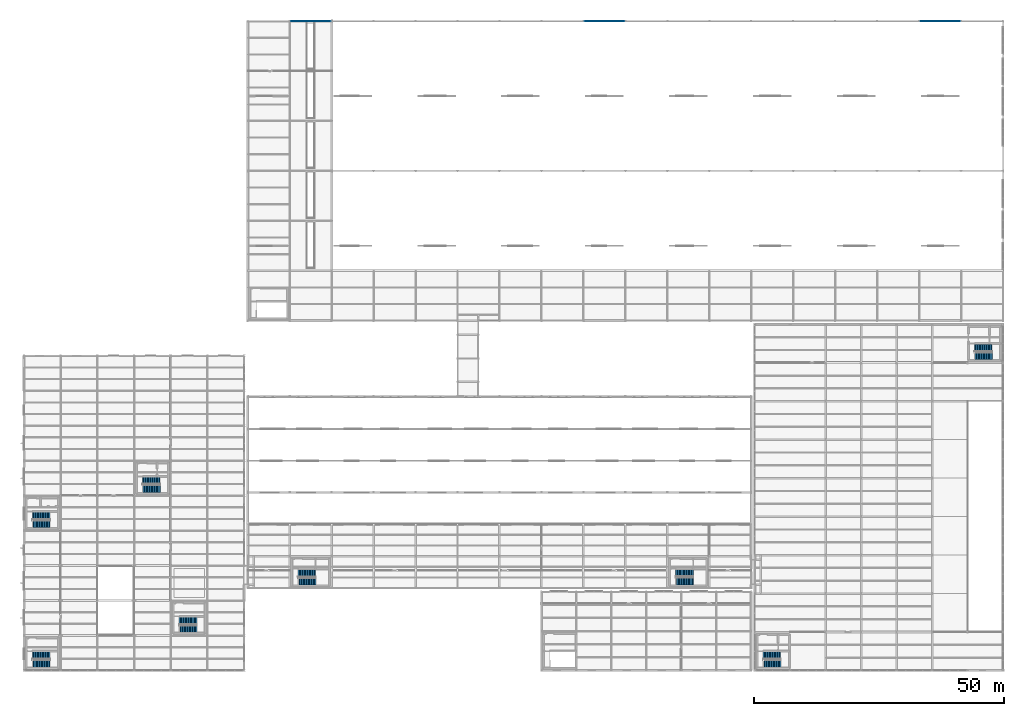
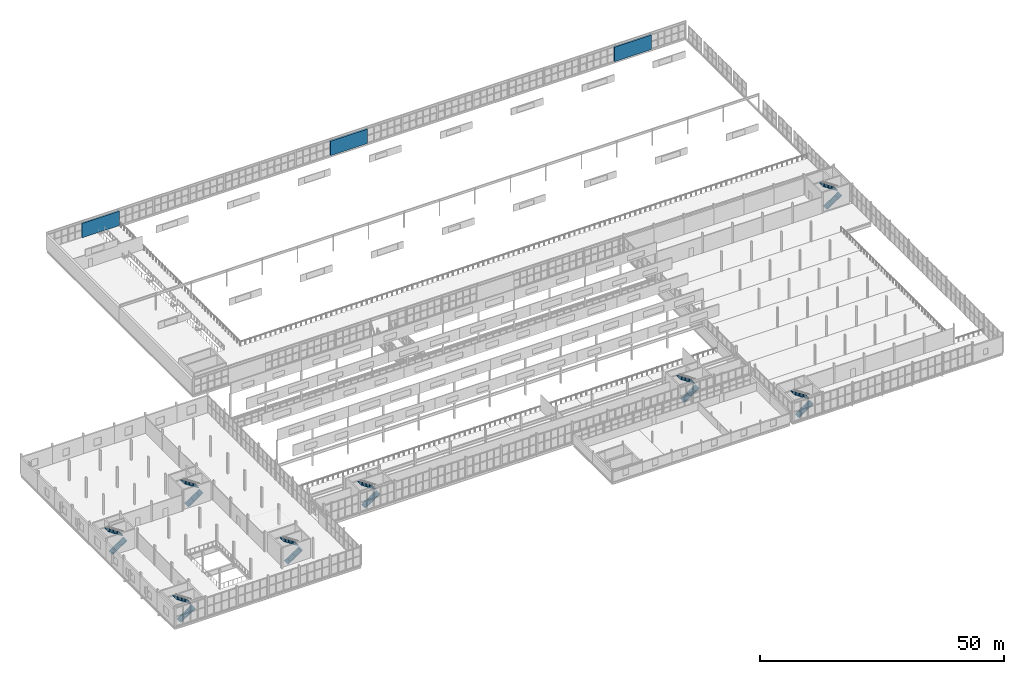
# One storey, part 209 of 218: 16 stair flights, 3 walls, 8 elements without a shape of their own.
"""IFC4 building model written with IfcOpenShell, lengths in metres."""

from ifc_helpers import new_model, si_unit, direction, frame, frame_2d, origin, place, context, subcontext, project, spatial, polyline, rectangle, outline, extrude, material, layer, layer_set, type_object, element, aggregate, save


model = new_model("IFC4")

# Units and contexts
model_context = context("Model", 3, precision=1e-05, world=origin(), true_north=direction((0.0, 1.0)))
body_context = subcontext(model_context, "Body", "Model", "MODEL_VIEW")
ifc_project = project(units=[si_unit("LENGTHUNIT", "METRE"), si_unit("AREAUNIT", "SQUARE_METRE"), si_unit("VOLUMEUNIT", "CUBIC_METRE"), si_unit("PLANEANGLEUNIT", "RADIAN"), si_unit("MASSUNIT", "GRAM", prefix="KILO")], contexts=[model_context])

# Site, building, storey
site_placement = place(None, origin())
site = spatial("IfcSite", under=ifc_project, at=site_placement, CompositionType="ELEMENT")
building_placement = place(site_placement, origin())
building = spatial("IfcBuilding", under=site, at=building_placement, Name="Kazenagashi Tramway Depot", CompositionType="ELEMENT")
storey_placement = place(building_placement, frame((0.0, 0.0, 6.0)))
storey = spatial("IfcBuildingStorey", under=building, at=storey_placement, Name="L02", CompositionType="ELEMENT", Elevation=6.0)

# Walls
ifc_material_1 = material(Name="Clay Brick Masonry JIS R 1250 Class 1 (20 MPa)", Category="masonry")
ifc_layer_1 = layer(ifc_material_1, 0.43)
ifc_layer_set_1 = layer_set([ifc_layer_1], Name="Clay Brick Masonry JIS R 1250 Class 1 (20 MPa)")
wall_type = type_object("IfcWallType", Name="W-BK1", PredefinedType="SOLIDWALL", material=ifc_layer_set_1)
wall_placement = place(storey_placement, frame((53.0, 130.0, 0.0), z_axis=(0.0, 0.0, 1.0), x_axis=(1.0, 0.0, 0.0)))
element("IfcWall", 1, at=wall_placement, inside=storey, type_object=wall_type, Name="Exterior Brick Wall W-BK1 EWALL-0031", PredefinedType="SOLIDWALL", context=body_context, shape_type="SweptSolid", body=[
    extrude(rectangle(XDim=8.8, YDim=0.43, at=frame_2d((4.4, 0.0))), origin(), (0.0, 0.0, 1.0), 3.6),
])
for number, where, z_axis, x_axis, name in (
    (2, (111.8, 130.0, -0.02), (0.0, 0.0, 1.0), (1.0, 0.0, 0.0), "Exterior Brick Wall W-BK1 EWALL-0039"),
    (3, (179.0, 130.0, -0.02), (0.0, 0.0, 1.0), (1.0, 0.0, 0.0), "Exterior Brick Wall W-BK1 EWALL-0048"),
):
    element("IfcWall", number, at=place(storey_placement, frame(where, z_axis=z_axis, x_axis=x_axis)), inside=storey, type_object=wall_type, Name=name, PredefinedType="SOLIDWALL", context=body_context, shape_type="SweptSolid", body=[
        extrude(rectangle(XDim=8.8, YDim=0.43, at=frame_2d((4.4, 0.0))), origin(), (0.0, 0.0, 1.0), 3.62),
    ])

# Stair, stair flights
ifc_material_2 = material(Name="Concrete Fc36", Category="concrete")
stair_type_1 = type_object("IfcStairType", Name="ST-T3", PredefinedType="USERDEFINED", material=ifc_material_2)
stair_1_placement = place(storey_placement, origin())
stair_1 = element("IfcStair", 4, at=stair_1_placement, inside=storey, type_object=stair_type_1, Name="Enclosed Escape Stair ST-02", ObjectType="TWO_RETURN_STAIR", PredefinedType="USERDEFINED")
ifc_layer_2 = layer(ifc_material_2, 0.18)
ifc_layer_set_2 = layer_set([ifc_layer_2], Name="Concrete Fc36")
stair_flight_type_1 = type_object("IfcStairFlightType", Name="SF-F01", PredefinedType="STRAIGHT", material=ifc_layer_set_2)
stair_flight_1_placement = place(storey_placement, frame((1.72, 29.345, 0.0), z_axis=(0.0, 0.0, 1.0), x_axis=(1.0, 0.0, 0.0)))
stair_flight_1 = element("IfcStairFlight", 5, at=stair_flight_1_placement, type_object=stair_flight_type_1, Name="ST-02 flight 1", NumberOfRisers=15, NumberOfTreads=14, PredefinedType="STRAIGHT", RiserHeight=0.17, TreadLength=0.252, context=body_context, shape_type="SweptSolid", body=[
    extrude(outline(polyline([(0.0, 0.0), (0.0, 0.17), (0.252, 0.17), (0.252, 0.34), (0.504, 0.34), (0.504, 0.51), (0.756, 0.51), (0.756, 0.68), (1.008, 0.68), (1.008, 0.85), (1.26, 0.85), (1.26, 1.02), (1.512, 1.02), (1.512, 1.19), (1.764, 1.19), (1.764, 1.36), (2.016, 1.36), (2.016, 1.53), (2.268, 1.53), (2.268, 1.7), (2.52, 1.7), (2.52, 1.87), (2.772, 1.87), (2.772, 2.04), (3.024, 2.04), (3.024, 2.21), (3.276, 2.21), (3.276, 2.38), (3.528, 2.38), (3.528, 2.55), (3.528, 2.199059), (0.268218, 0.0), (0.0, 0.0)])), frame((0.0, 0.725, 0.0), z_axis=(0.0, -1.0, 0.0), x_axis=(1.0, 0.0, 0.0)), (0.0, 0.0, 1.0), 1.45),
])
stair_flight_2_placement = place(storey_placement, frame((5.208, 30.955, 2.55), z_axis=(0.0, 0.0, 1.0), x_axis=(-1.0, 0.0, 0.0)))
stair_flight_2 = element("IfcStairFlight", 6, at=stair_flight_2_placement, type_object=stair_flight_type_1, Name="ST-02 flight 2", NumberOfRisers=15, NumberOfTreads=14, PredefinedType="STRAIGHT", RiserHeight=0.17, TreadLength=0.252, context=body_context, shape_type="SweptSolid", body=[
    extrude(outline(polyline([(0.0, 0.0), (0.0, 0.17), (0.252, 0.17), (0.252, 0.34), (0.504, 0.34), (0.504, 0.51), (0.756, 0.51), (0.756, 0.68), (1.008, 0.68), (1.008, 0.85), (1.26, 0.85), (1.26, 1.02), (1.512, 1.02), (1.512, 1.19), (1.764, 1.19), (1.764, 1.36), (2.016, 1.36), (2.016, 1.53), (2.268, 1.53), (2.268, 1.7), (2.52, 1.7), (2.52, 1.87), (2.772, 1.87), (2.772, 2.04), (3.024, 2.04), (3.024, 2.21), (3.276, 2.21), (3.276, 2.38), (3.528, 2.38), (3.528, 2.55), (3.528, 2.199059), (0.268218, 0.0), (0.0, 0.0)])), frame((0.0, 0.725, 0.0), z_axis=(0.0, -1.0, 0.0), x_axis=(1.0, 0.0, 0.0)), (0.0, 0.0, 1.0), 1.45),
])
aggregate(stair_1, [stair_flight_1, stair_flight_2])

stair_2_placement = place(storey_placement, origin())
stair_2 = element("IfcStair", 7, at=stair_2_placement, inside=storey, type_object=stair_type_1, Name="Enclosed Escape Stair ST-10", ObjectType="TWO_RETURN_STAIR", PredefinedType="USERDEFINED")
stair_flight_3_placement = place(storey_placement, frame((31.12, 8.345, 0.0), z_axis=(0.0, 0.0, 1.0), x_axis=(1.0, 0.0, 0.0)))
stair_flight_3 = element("IfcStairFlight", 8, at=stair_flight_3_placement, type_object=stair_flight_type_1, Name="ST-10 flight 1", NumberOfRisers=15, NumberOfTreads=14, PredefinedType="STRAIGHT", RiserHeight=0.17, TreadLength=0.252, context=body_context, shape_type="SweptSolid", body=[
    extrude(outline(polyline([(0.0, 0.0), (0.0, 0.17), (0.252, 0.17), (0.252, 0.34), (0.504, 0.34), (0.504, 0.51), (0.756, 0.51), (0.756, 0.68), (1.008, 0.68), (1.008, 0.85), (1.26, 0.85), (1.26, 1.02), (1.512, 1.02), (1.512, 1.19), (1.764, 1.19), (1.764, 1.36), (2.016, 1.36), (2.016, 1.53), (2.268, 1.53), (2.268, 1.7), (2.52, 1.7), (2.52, 1.87), (2.772, 1.87), (2.772, 2.04), (3.024, 2.04), (3.024, 2.21), (3.276, 2.21), (3.276, 2.38), (3.528, 2.38), (3.528, 2.55), (3.528, 2.199059), (0.268218, 0.0), (0.0, 0.0)])), frame((0.0, 0.725, 0.0), z_axis=(0.0, -1.0, 0.0), x_axis=(1.0, 0.0, 0.0)), (0.0, 0.0, 1.0), 1.45),
])
stair_flight_4_placement = place(storey_placement, frame((34.608, 9.955, 2.55), z_axis=(0.0, 0.0, 1.0), x_axis=(-1.0, 0.0, 0.0)))
stair_flight_4 = element("IfcStairFlight", 9, at=stair_flight_4_placement, type_object=stair_flight_type_1, Name="ST-10 flight 2", NumberOfRisers=15, NumberOfTreads=14, PredefinedType="STRAIGHT", RiserHeight=0.17, TreadLength=0.252, context=body_context, shape_type="SweptSolid", body=[
    extrude(outline(polyline([(0.0, 0.0), (0.0, 0.17), (0.252, 0.17), (0.252, 0.34), (0.504, 0.34), (0.504, 0.51), (0.756, 0.51), (0.756, 0.68), (1.008, 0.68), (1.008, 0.85), (1.26, 0.85), (1.26, 1.02), (1.512, 1.02), (1.512, 1.19), (1.764, 1.19), (1.764, 1.36), (2.016, 1.36), (2.016, 1.53), (2.268, 1.53), (2.268, 1.7), (2.52, 1.7), (2.52, 1.87), (2.772, 1.87), (2.772, 2.04), (3.024, 2.04), (3.024, 2.21), (3.276, 2.21), (3.276, 2.38), (3.528, 2.38), (3.528, 2.55), (3.528, 2.199059), (0.268218, 0.0), (0.0, 0.0)])), frame((0.0, 0.725, 0.0), z_axis=(0.0, -1.0, 0.0), x_axis=(1.0, 0.0, 0.0)), (0.0, 0.0, 1.0), 1.45),
])
aggregate(stair_2, [stair_flight_3, stair_flight_4])

stair_3_placement = place(storey_placement, origin())
stair_3 = element("IfcStair", 10, at=stair_3_placement, inside=storey, type_object=stair_type_1, Name="Enclosed Escape Stair ST-18", ObjectType="TWO_RETURN_STAIR", PredefinedType="USERDEFINED")
stair_flight_5_placement = place(storey_placement, frame((54.92, 17.845, 0.0), z_axis=(0.0, 0.0, 1.0), x_axis=(1.0, 0.0, 0.0)))
stair_flight_5 = element("IfcStairFlight", 11, at=stair_flight_5_placement, type_object=stair_flight_type_1, Name="ST-18 flight 1", NumberOfRisers=15, NumberOfTreads=14, PredefinedType="STRAIGHT", RiserHeight=0.17, TreadLength=0.252, context=body_context, shape_type="SweptSolid", body=[
    extrude(outline(polyline([(0.0, 0.0), (0.0, 0.17), (0.252, 0.17), (0.252, 0.34), (0.504, 0.34), (0.504, 0.51), (0.756, 0.51), (0.756, 0.68), (1.008, 0.68), (1.008, 0.85), (1.26, 0.85), (1.26, 1.02), (1.512, 1.02), (1.512, 1.19), (1.764, 1.19), (1.764, 1.36), (2.016, 1.36), (2.016, 1.53), (2.268, 1.53), (2.268, 1.7), (2.52, 1.7), (2.52, 1.87), (2.772, 1.87), (2.772, 2.04), (3.024, 2.04), (3.024, 2.21), (3.276, 2.21), (3.276, 2.38), (3.528, 2.38), (3.528, 2.55), (3.528, 2.199059), (0.268218, 0.0), (0.0, 0.0)])), frame((0.0, 0.725, 0.0), z_axis=(0.0, -1.0, 0.0), x_axis=(1.0, 0.0, 0.0)), (0.0, 0.0, 1.0), 1.45),
])
stair_flight_6_placement = place(storey_placement, frame((58.408, 19.455, 2.55), z_axis=(0.0, 0.0, 1.0), x_axis=(-1.0, 0.0, 0.0)))
stair_flight_6 = element("IfcStairFlight", 12, at=stair_flight_6_placement, type_object=stair_flight_type_1, Name="ST-18 flight 2", NumberOfRisers=15, NumberOfTreads=14, PredefinedType="STRAIGHT", RiserHeight=0.17, TreadLength=0.252, context=body_context, shape_type="SweptSolid", body=[
    extrude(outline(polyline([(0.0, 0.0), (0.0, 0.17), (0.252, 0.17), (0.252, 0.34), (0.504, 0.34), (0.504, 0.51), (0.756, 0.51), (0.756, 0.68), (1.008, 0.68), (1.008, 0.85), (1.26, 0.85), (1.26, 1.02), (1.512, 1.02), (1.512, 1.19), (1.764, 1.19), (1.764, 1.36), (2.016, 1.36), (2.016, 1.53), (2.268, 1.53), (2.268, 1.7), (2.52, 1.7), (2.52, 1.87), (2.772, 1.87), (2.772, 2.04), (3.024, 2.04), (3.024, 2.21), (3.276, 2.21), (3.276, 2.38), (3.528, 2.38), (3.528, 2.55), (3.528, 2.199059), (0.268218, 0.0), (0.0, 0.0)])), frame((0.0, 0.725, 0.0), z_axis=(0.0, -1.0, 0.0), x_axis=(1.0, 0.0, 0.0)), (0.0, 0.0, 1.0), 1.45),
])
aggregate(stair_3, [stair_flight_5, stair_flight_6])

stair_4_placement = place(storey_placement, origin())
stair_4 = element("IfcStair", 13, at=stair_4_placement, inside=storey, type_object=stair_type_1, Name="Enclosed Escape Stair ST-26", ObjectType="TWO_RETURN_STAIR", PredefinedType="USERDEFINED")
stair_flight_7_placement = place(storey_placement, frame((190.32, 62.945, 0.0), z_axis=(0.0, 0.0, 1.0), x_axis=(1.0, 0.0, 0.0)))
stair_flight_7 = element("IfcStairFlight", 14, at=stair_flight_7_placement, type_object=stair_flight_type_1, Name="ST-26 flight 1", NumberOfRisers=15, NumberOfTreads=14, PredefinedType="STRAIGHT", RiserHeight=0.17, TreadLength=0.252, context=body_context, shape_type="SweptSolid", body=[
    extrude(outline(polyline([(0.0, 0.0), (0.0, 0.17), (0.252, 0.17), (0.252, 0.34), (0.504, 0.34), (0.504, 0.51), (0.756, 0.51), (0.756, 0.68), (1.008, 0.68), (1.008, 0.85), (1.26, 0.85), (1.26, 1.02), (1.512, 1.02), (1.512, 1.19), (1.764, 1.19), (1.764, 1.36), (2.016, 1.36), (2.016, 1.53), (2.268, 1.53), (2.268, 1.7), (2.52, 1.7), (2.52, 1.87), (2.772, 1.87), (2.772, 2.04), (3.024, 2.04), (3.024, 2.21), (3.276, 2.21), (3.276, 2.38), (3.528, 2.38), (3.528, 2.55), (3.528, 2.199059), (0.268218, 0.0), (0.0, 0.0)])), frame((0.0, 0.725, 0.0), z_axis=(0.0, -1.0, 0.0), x_axis=(1.0, 0.0, 0.0)), (0.0, 0.0, 1.0), 1.45),
])
stair_flight_8_placement = place(storey_placement, frame((193.808, 64.555, 2.55), z_axis=(0.0, 0.0, 1.0), x_axis=(-1.0, 0.0, 0.0)))
stair_flight_8 = element("IfcStairFlight", 15, at=stair_flight_8_placement, type_object=stair_flight_type_1, Name="ST-26 flight 2", NumberOfRisers=15, NumberOfTreads=14, PredefinedType="STRAIGHT", RiserHeight=0.17, TreadLength=0.252, context=body_context, shape_type="SweptSolid", body=[
    extrude(outline(polyline([(0.0, 0.0), (0.0, 0.17), (0.252, 0.17), (0.252, 0.34), (0.504, 0.34), (0.504, 0.51), (0.756, 0.51), (0.756, 0.68), (1.008, 0.68), (1.008, 0.85), (1.26, 0.85), (1.26, 1.02), (1.512, 1.02), (1.512, 1.19), (1.764, 1.19), (1.764, 1.36), (2.016, 1.36), (2.016, 1.53), (2.268, 1.53), (2.268, 1.7), (2.52, 1.7), (2.52, 1.87), (2.772, 1.87), (2.772, 2.04), (3.024, 2.04), (3.024, 2.21), (3.276, 2.21), (3.276, 2.38), (3.528, 2.38), (3.528, 2.55), (3.528, 2.199059), (0.268218, 0.0), (0.0, 0.0)])), frame((0.0, 0.725, 0.0), z_axis=(0.0, -1.0, 0.0), x_axis=(1.0, 0.0, 0.0)), (0.0, 0.0, 1.0), 1.45),
])
aggregate(stair_4, [stair_flight_7, stair_flight_8])

stair_type_2 = type_object("IfcStairType", Name="ST-T6", PredefinedType="USERDEFINED", material=ifc_material_2)
stair_5_placement = place(storey_placement, origin())
stair_5 = element("IfcStair", 16, at=stair_5_placement, inside=storey, type_object=stair_type_2, Name="Enclosed Escape Stair ST-06", ObjectType="TWO_RETURN_STAIR", PredefinedType="USERDEFINED")
ifc_layer_3 = layer(ifc_material_2, 0.18)
ifc_layer_set_3 = layer_set([ifc_layer_3], Name="Concrete Fc36")
stair_flight_type_2 = type_object("IfcStairFlightType", Name="SF-F02", PredefinedType="STRAIGHT", material=ifc_layer_set_3)
stair_flight_9_placement = place(storey_placement, frame((23.77, 36.37, 0.0), z_axis=(0.0, 0.0, 1.0), x_axis=(1.0, 0.0, 0.0)))
stair_flight_9 = element("IfcStairFlight", 17, at=stair_flight_9_placement, type_object=stair_flight_type_2, Name="ST-06 flight 1", NumberOfRisers=15, NumberOfTreads=14, PredefinedType="STRAIGHT", RiserHeight=0.17, TreadLength=0.252, context=body_context, shape_type="SweptSolid", body=[
    extrude(outline(polyline([(0.0, 0.0), (0.0, 0.17), (0.252, 0.17), (0.252, 0.34), (0.504, 0.34), (0.504, 0.51), (0.756, 0.51), (0.756, 0.68), (1.008, 0.68), (1.008, 0.85), (1.26, 0.85), (1.26, 1.02), (1.512, 1.02), (1.512, 1.19), (1.764, 1.19), (1.764, 1.36), (2.016, 1.36), (2.016, 1.53), (2.268, 1.53), (2.268, 1.7), (2.52, 1.7), (2.52, 1.87), (2.772, 1.87), (2.772, 2.04), (3.024, 2.04), (3.024, 2.21), (3.276, 2.21), (3.276, 2.38), (3.528, 2.38), (3.528, 2.55), (3.528, 2.199059), (0.268218, 0.0), (0.0, 0.0)])), frame((0.0, 0.75, 0.0), z_axis=(0.0, -1.0, 0.0), x_axis=(1.0, 0.0, 0.0)), (0.0, 0.0, 1.0), 1.5),
])
stair_flight_10_placement = place(storey_placement, frame((27.258, 38.03, 2.55), z_axis=(0.0, 0.0, 1.0), x_axis=(-1.0, 0.0, 0.0)))
stair_flight_10 = element("IfcStairFlight", 18, at=stair_flight_10_placement, type_object=stair_flight_type_2, Name="ST-06 flight 2", NumberOfRisers=15, NumberOfTreads=14, PredefinedType="STRAIGHT", RiserHeight=0.17, TreadLength=0.252, context=body_context, shape_type="SweptSolid", body=[
    extrude(outline(polyline([(0.0, 0.0), (0.0, 0.17), (0.252, 0.17), (0.252, 0.34), (0.504, 0.34), (0.504, 0.51), (0.756, 0.51), (0.756, 0.68), (1.008, 0.68), (1.008, 0.85), (1.26, 0.85), (1.26, 1.02), (1.512, 1.02), (1.512, 1.19), (1.764, 1.19), (1.764, 1.36), (2.016, 1.36), (2.016, 1.53), (2.268, 1.53), (2.268, 1.7), (2.52, 1.7), (2.52, 1.87), (2.772, 1.87), (2.772, 2.04), (3.024, 2.04), (3.024, 2.21), (3.276, 2.21), (3.276, 2.38), (3.528, 2.38), (3.528, 2.55), (3.528, 2.199059), (0.268218, 0.0), (0.0, 0.0)])), frame((0.0, 0.75, 0.0), z_axis=(0.0, -1.0, 0.0), x_axis=(1.0, 0.0, 0.0)), (0.0, 0.0, 1.0), 1.5),
])
aggregate(stair_5, [stair_flight_9, stair_flight_10])

stair_6_placement = place(storey_placement, origin())
stair_6 = element("IfcStair", 19, at=stair_6_placement, inside=storey, type_object=stair_type_2, Name="Enclosed Escape Stair ST-13", ObjectType="TWO_RETURN_STAIR", PredefinedType="USERDEFINED")
stair_flight_11_placement = place(storey_placement, frame((1.72, 1.37, 0.0), z_axis=(0.0, 0.0, 1.0), x_axis=(1.0, 0.0, 0.0)))
stair_flight_11 = element("IfcStairFlight", 20, at=stair_flight_11_placement, type_object=stair_flight_type_2, Name="ST-13 flight 1", NumberOfRisers=15, NumberOfTreads=14, PredefinedType="STRAIGHT", RiserHeight=0.17, TreadLength=0.252, context=body_context, shape_type="SweptSolid", body=[
    extrude(outline(polyline([(0.0, 0.0), (0.0, 0.17), (0.252, 0.17), (0.252, 0.34), (0.504, 0.34), (0.504, 0.51), (0.756, 0.51), (0.756, 0.68), (1.008, 0.68), (1.008, 0.85), (1.26, 0.85), (1.26, 1.02), (1.512, 1.02), (1.512, 1.19), (1.764, 1.19), (1.764, 1.36), (2.016, 1.36), (2.016, 1.53), (2.268, 1.53), (2.268, 1.7), (2.52, 1.7), (2.52, 1.87), (2.772, 1.87), (2.772, 2.04), (3.024, 2.04), (3.024, 2.21), (3.276, 2.21), (3.276, 2.38), (3.528, 2.38), (3.528, 2.55), (3.528, 2.199059), (0.268218, 0.0), (0.0, 0.0)])), frame((0.0, 0.75, 0.0), z_axis=(0.0, -1.0, 0.0), x_axis=(1.0, 0.0, 0.0)), (0.0, 0.0, 1.0), 1.5),
])
stair_flight_12_placement = place(storey_placement, frame((5.208, 3.03, 2.55), z_axis=(0.0, 0.0, 1.0), x_axis=(-1.0, 0.0, 0.0)))
stair_flight_12 = element("IfcStairFlight", 21, at=stair_flight_12_placement, type_object=stair_flight_type_2, Name="ST-13 flight 2", NumberOfRisers=15, NumberOfTreads=14, PredefinedType="STRAIGHT", RiserHeight=0.17, TreadLength=0.252, context=body_context, shape_type="SweptSolid", body=[
    extrude(outline(polyline([(0.0, 0.0), (0.0, 0.17), (0.252, 0.17), (0.252, 0.34), (0.504, 0.34), (0.504, 0.51), (0.756, 0.51), (0.756, 0.68), (1.008, 0.68), (1.008, 0.85), (1.26, 0.85), (1.26, 1.02), (1.512, 1.02), (1.512, 1.19), (1.764, 1.19), (1.764, 1.36), (2.016, 1.36), (2.016, 1.53), (2.268, 1.53), (2.268, 1.7), (2.52, 1.7), (2.52, 1.87), (2.772, 1.87), (2.772, 2.04), (3.024, 2.04), (3.024, 2.21), (3.276, 2.21), (3.276, 2.38), (3.528, 2.38), (3.528, 2.55), (3.528, 2.199059), (0.268218, 0.0), (0.0, 0.0)])), frame((0.0, 0.75, 0.0), z_axis=(0.0, -1.0, 0.0), x_axis=(1.0, 0.0, 0.0)), (0.0, 0.0, 1.0), 1.5),
])
aggregate(stair_6, [stair_flight_11, stair_flight_12])

stair_7_placement = place(storey_placement, origin())
stair_7 = element("IfcStair", 22, at=stair_7_placement, inside=storey, type_object=stair_type_2, Name="Enclosed Escape Stair ST-21", ObjectType="TWO_RETURN_STAIR", PredefinedType="USERDEFINED")
stair_flight_13_placement = place(storey_placement, frame((130.52, 17.87, 0.0), z_axis=(0.0, 0.0, 1.0), x_axis=(1.0, 0.0, 0.0)))
stair_flight_13 = element("IfcStairFlight", 23, at=stair_flight_13_placement, type_object=stair_flight_type_2, Name="ST-21 flight 1", NumberOfRisers=15, NumberOfTreads=14, PredefinedType="STRAIGHT", RiserHeight=0.17, TreadLength=0.252, context=body_context, shape_type="SweptSolid", body=[
    extrude(outline(polyline([(0.0, 0.0), (0.0, 0.17), (0.252, 0.17), (0.252, 0.34), (0.504, 0.34), (0.504, 0.51), (0.756, 0.51), (0.756, 0.68), (1.008, 0.68), (1.008, 0.85), (1.26, 0.85), (1.26, 1.02), (1.512, 1.02), (1.512, 1.19), (1.764, 1.19), (1.764, 1.36), (2.016, 1.36), (2.016, 1.53), (2.268, 1.53), (2.268, 1.7), (2.52, 1.7), (2.52, 1.87), (2.772, 1.87), (2.772, 2.04), (3.024, 2.04), (3.024, 2.21), (3.276, 2.21), (3.276, 2.38), (3.528, 2.38), (3.528, 2.55), (3.528, 2.199059), (0.268218, 0.0), (0.0, 0.0)])), frame((0.0, 0.75, 0.0), z_axis=(0.0, -1.0, 0.0), x_axis=(1.0, 0.0, 0.0)), (0.0, 0.0, 1.0), 1.5),
])
stair_flight_14_placement = place(storey_placement, frame((134.008, 19.53, 2.55), z_axis=(0.0, 0.0, 1.0), x_axis=(-1.0, 0.0, 0.0)))
stair_flight_14 = element("IfcStairFlight", 24, at=stair_flight_14_placement, type_object=stair_flight_type_2, Name="ST-21 flight 2", NumberOfRisers=15, NumberOfTreads=14, PredefinedType="STRAIGHT", RiserHeight=0.17, TreadLength=0.252, context=body_context, shape_type="SweptSolid", body=[
    extrude(outline(polyline([(0.0, 0.0), (0.0, 0.17), (0.252, 0.17), (0.252, 0.34), (0.504, 0.34), (0.504, 0.51), (0.756, 0.51), (0.756, 0.68), (1.008, 0.68), (1.008, 0.85), (1.26, 0.85), (1.26, 1.02), (1.512, 1.02), (1.512, 1.19), (1.764, 1.19), (1.764, 1.36), (2.016, 1.36), (2.016, 1.53), (2.268, 1.53), (2.268, 1.7), (2.52, 1.7), (2.52, 1.87), (2.772, 1.87), (2.772, 2.04), (3.024, 2.04), (3.024, 2.21), (3.276, 2.21), (3.276, 2.38), (3.528, 2.38), (3.528, 2.55), (3.528, 2.199059), (0.268218, 0.0), (0.0, 0.0)])), frame((0.0, 0.75, 0.0), z_axis=(0.0, -1.0, 0.0), x_axis=(1.0, 0.0, 0.0)), (0.0, 0.0, 1.0), 1.5),
])
aggregate(stair_7, [stair_flight_13, stair_flight_14])

stair_8_placement = place(storey_placement, origin())
stair_8 = element("IfcStair", 25, at=stair_8_placement, inside=storey, type_object=stair_type_2, Name="Enclosed Escape Stair ST-24", ObjectType="TWO_RETURN_STAIR", PredefinedType="USERDEFINED")
stair_flight_15_placement = place(storey_placement, frame((148.02, 1.37, 0.0), z_axis=(0.0, 0.0, 1.0), x_axis=(1.0, 0.0, 0.0)))
stair_flight_15 = element("IfcStairFlight", 26, at=stair_flight_15_placement, type_object=stair_flight_type_2, Name="ST-24 flight 1", NumberOfRisers=15, NumberOfTreads=14, PredefinedType="STRAIGHT", RiserHeight=0.17, TreadLength=0.252, context=body_context, shape_type="SweptSolid", body=[
    extrude(outline(polyline([(0.0, 0.0), (0.0, 0.17), (0.252, 0.17), (0.252, 0.34), (0.504, 0.34), (0.504, 0.51), (0.756, 0.51), (0.756, 0.68), (1.008, 0.68), (1.008, 0.85), (1.26, 0.85), (1.26, 1.02), (1.512, 1.02), (1.512, 1.19), (1.764, 1.19), (1.764, 1.36), (2.016, 1.36), (2.016, 1.53), (2.268, 1.53), (2.268, 1.7), (2.52, 1.7), (2.52, 1.87), (2.772, 1.87), (2.772, 2.04), (3.024, 2.04), (3.024, 2.21), (3.276, 2.21), (3.276, 2.38), (3.528, 2.38), (3.528, 2.55), (3.528, 2.199059), (0.268218, 0.0), (0.0, 0.0)])), frame((0.0, 0.75, 0.0), z_axis=(0.0, -1.0, 0.0), x_axis=(1.0, 0.0, 0.0)), (0.0, 0.0, 1.0), 1.5),
])
stair_flight_16_placement = place(storey_placement, frame((151.508, 3.03, 2.55), z_axis=(0.0, 0.0, 1.0), x_axis=(-1.0, 0.0, 0.0)))
stair_flight_16 = element("IfcStairFlight", 27, at=stair_flight_16_placement, type_object=stair_flight_type_2, Name="ST-24 flight 2", NumberOfRisers=15, NumberOfTreads=14, PredefinedType="STRAIGHT", RiserHeight=0.17, TreadLength=0.252, context=body_context, shape_type="SweptSolid", body=[
    extrude(outline(polyline([(0.0, 0.0), (0.0, 0.17), (0.252, 0.17), (0.252, 0.34), (0.504, 0.34), (0.504, 0.51), (0.756, 0.51), (0.756, 0.68), (1.008, 0.68), (1.008, 0.85), (1.26, 0.85), (1.26, 1.02), (1.512, 1.02), (1.512, 1.19), (1.764, 1.19), (1.764, 1.36), (2.016, 1.36), (2.016, 1.53), (2.268, 1.53), (2.268, 1.7), (2.52, 1.7), (2.52, 1.87), (2.772, 1.87), (2.772, 2.04), (3.024, 2.04), (3.024, 2.21), (3.276, 2.21), (3.276, 2.38), (3.528, 2.38), (3.528, 2.55), (3.528, 2.199059), (0.268218, 0.0), (0.0, 0.0)])), frame((0.0, 0.75, 0.0), z_axis=(0.0, -1.0, 0.0), x_axis=(1.0, 0.0, 0.0)), (0.0, 0.0, 1.0), 1.5),
])
aggregate(stair_8, [stair_flight_15, stair_flight_16])

save(model, "model.ifc")
